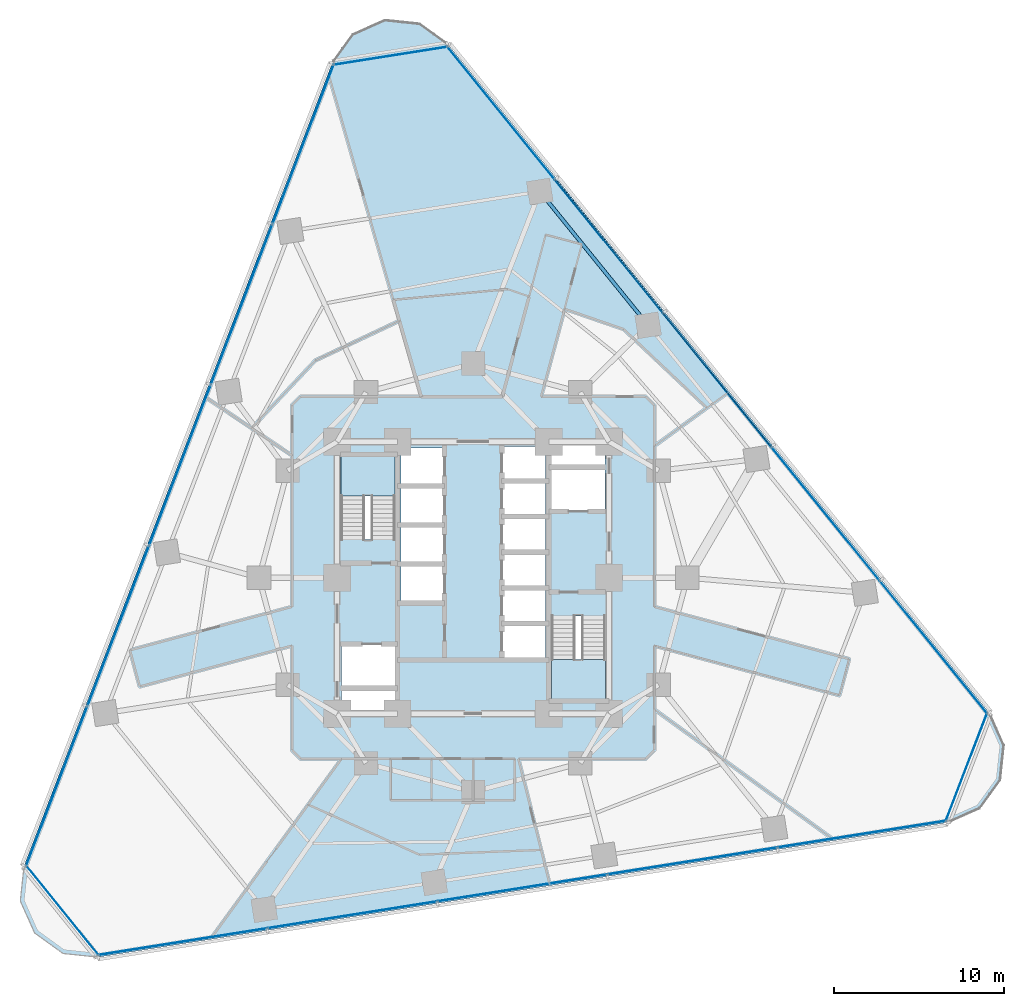
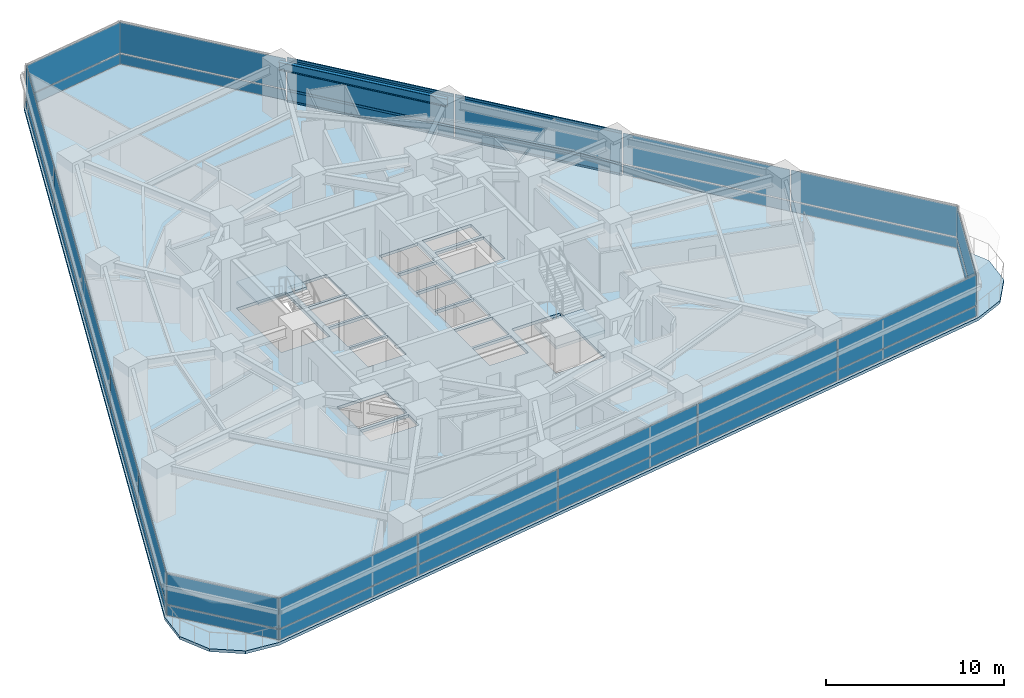
# One storey, part 6 of 13: 36 plates, 6 members, 3 slabs, 1 beam, 8 elements without a shape of their own.
"""IFC4 building model written with IfcOpenShell, lengths in metres."""

from ifc_helpers import new_model, si_unit, direction, frame, origin, origin_2d, place, context, subcontext, project, spatial, polyline, rectangle, i_section, outline, extrude, material, layer, layer_set, material_profile, profile_set, type_object, element, aggregate, save


model = new_model("IFC4")

# Units and contexts
model_context = context("Model", 3, precision=1e-05, world=origin(), true_north=direction((0.0, 1.0)))
body_context = subcontext(model_context, "Body", "Model", "MODEL_VIEW")
ifc_project = project(units=[si_unit("LENGTHUNIT", "METRE"), si_unit("AREAUNIT", "SQUARE_METRE"), si_unit("VOLUMEUNIT", "CUBIC_METRE"), si_unit("PLANEANGLEUNIT", "RADIAN"), si_unit("MASSUNIT", "GRAM", prefix="KILO")], contexts=[model_context])

# Site, building, storey
site_placement = place(None, origin())
site = spatial("IfcSite", under=ifc_project, at=site_placement, CompositionType="ELEMENT")
building_placement = place(site_placement, origin())
building = spatial("IfcBuilding", under=site, at=building_placement, Name="Terralouvre Media Tower", CompositionType="ELEMENT")
storey_placement = place(building_placement, frame((0.0, 0.0, 59.300048828125)))
storey = spatial("IfcBuildingStorey", under=building, at=storey_placement, Name="L14", CompositionType="ELEMENT", Elevation=59.300048828125)

# Curtain wall, members
ifc_material_1 = material(Name="Low-iron laminated double glazing with solar-control coating", Category="glass")
ifc_layer_1 = layer(ifc_material_1, 0.1650390625, Name="Lower Media Tower Unitised Curtain Wall CW-02")
ifc_layer_set_1 = layer_set([ifc_layer_1], Name="Low-iron laminated double glazing with solar-control coating")
curtain_wall_type_1 = type_object("IfcCurtainWallType", Name="Lower Media Tower Unitised Curtain Wall CW-02", PredefinedType="NOTDEFINED", material=ifc_layer_set_1)
curtain_wall_1_placement = place(storey_placement, origin())
curtain_wall_1 = element("IfcCurtainWall", 1, at=curtain_wall_1_placement, inside=storey, type_object=curtain_wall_type_1, Name="L14 Facade Curtain Wall F1", PredefinedType="NOTDEFINED")
ifc_material_2 = material(Name="Anodised extruded aluminium 6063-T6", Category="aluminium")
ifc_material_profile_1 = material_profile(ifc_material_2, rectangle(XDim=0.074951171875, YDim=0.14990234375, at=origin_2d()), Name="ALU 75x150")
ifc_profile_set_1 = profile_set([ifc_material_profile_1], Name="Anodised extruded aluminium 6063-T6")
member_type = type_object("IfcMemberType", Name="Curtain-Wall Horizontal Transom TR-150", PredefinedType="USERDEFINED", material=ifc_profile_set_1)
member_1_placement = place(storey_placement, frame((17.523681640625, 7.72265625, 0.037353515625), z_axis=(-0.629319084722, 0.777147019299, 0.0), x_axis=(-0.777147019299, -0.629319084722, 0.0)))
member_1 = element("IfcMember", 2, at=member_1_placement, type_object=member_type, Name="CW-02 transom 3.1", ObjectType="TRANSOM", PredefinedType="USERDEFINED", context=body_context, shape_type="SweptSolid", body=[
    extrude(rectangle(XDim=0.074951171875, YDim=0.14990234375, at=origin_2d()), origin(), (0.0, 0.0, 1.0), 10.052734375),
])
member_2_placement = place(storey_placement, frame((17.523681640625, 7.72265625, 0.800048828125), z_axis=(-0.629319084722, 0.777147019299, 0.0), x_axis=(-0.777147019299, -0.629319084722, 0.0)))
member_2 = element("IfcMember", 3, at=member_2_placement, type_object=member_type, Name="CW-02 transom 3.2", ObjectType="TRANSOM", PredefinedType="USERDEFINED", context=body_context, shape_type="SweptSolid", body=[
    extrude(rectangle(XDim=0.074951171875, YDim=0.14990234375, at=origin_2d()), origin(), (0.0, 0.0, 1.0), 10.052734375),
])
member_3_placement = place(storey_placement, frame((17.523681640625, 7.72265625, 2.96240234375), z_axis=(-0.629319084722, 0.777147019299, 0.0), x_axis=(-0.777147019299, -0.629319084722, 0.0)))
member_3 = element("IfcMember", 4, at=member_3_placement, type_object=member_type, Name="CW-02 transom 3.3", ObjectType="TRANSOM", PredefinedType="USERDEFINED", context=body_context, shape_type="SweptSolid", body=[
    extrude(rectangle(XDim=0.074951171875, YDim=0.14990234375, at=origin_2d()), origin(), (0.0, 0.0, 1.0), 10.052734375),
])
member_4_placement = place(storey_placement, frame((11.14990234375, 15.593505859375, 0.037353515625), z_axis=(-0.629307207311, 0.777156637253, 0.0), x_axis=(-0.777156637253, -0.629307207311, 0.0)))
member_4 = element("IfcMember", 5, at=member_4_placement, type_object=member_type, Name="CW-02 transom 4.1", ObjectType="TRANSOM", PredefinedType="USERDEFINED", context=body_context, shape_type="SweptSolid", body=[
    extrude(rectangle(XDim=0.074951171875, YDim=0.14990234375, at=origin_2d()), origin(), (0.0, 0.0, 1.0), 10.052978515625),
])
member_5_placement = place(storey_placement, frame((11.14990234375, 15.593505859375, 0.800048828125), z_axis=(-0.629307207311, 0.777156637253, 0.0), x_axis=(-0.777156637253, -0.629307207311, 0.0)))
member_5 = element("IfcMember", 6, at=member_5_placement, type_object=member_type, Name="CW-02 transom 4.2", ObjectType="TRANSOM", PredefinedType="USERDEFINED", context=body_context, shape_type="SweptSolid", body=[
    extrude(rectangle(XDim=0.074951171875, YDim=0.14990234375, at=origin_2d()), origin(), (0.0, 0.0, 1.0), 10.052978515625),
])
member_6_placement = place(storey_placement, frame((11.14990234375, 15.593505859375, 2.96240234375), z_axis=(-0.629307207311, 0.777156637253, 0.0), x_axis=(-0.777156637253, -0.629307207311, 0.0)))
member_6 = element("IfcMember", 7, at=member_6_placement, type_object=member_type, Name="CW-02 transom 4.3", ObjectType="TRANSOM", PredefinedType="USERDEFINED", context=body_context, shape_type="SweptSolid", body=[
    extrude(rectangle(XDim=0.074951171875, YDim=0.14990234375, at=origin_2d()), origin(), (0.0, 0.0, 1.0), 10.052978515625),
])

# Beam
ifc_material_3 = material(Name="Structural steel S355J2", Category="steel")
ifc_material_profile_2 = material_profile(ifc_material_3, i_section(OverallWidth=0.2099609375, OverallDepth=0.550048828125, WebThickness=0.010986328125, FlangeThickness=0.01708984375, at=origin_2d()), Name="IPE 550")
ifc_profile_set_2 = profile_set([ifc_material_profile_2], Name="Structural steel S355J2")
beam_type = type_object("IfcBeamType", Name="Perimeter Spandrel Beam SPB-550 (IPE 550)", PredefinedType="SPANDREL", material=ifc_profile_set_2)
beam_placement = place(storey_placement, frame((10.29541015625, 14.853271484375, 3.224853515625), z_axis=(-0.629325814949, 0.777141569239, 0.0), x_axis=(-0.777141569239, -0.629325814949, 0.0)))
element("IfcBeam", 8, at=beam_placement, inside=storey, type_object=beam_type, Name="L14 Framing Beam BM-L14-PR08", PredefinedType="SPANDREL", context=body_context, shape_type="SweptSolid", body=[
    extrude(i_section(OverallWidth=0.2099609375, OverallDepth=0.550048828125, WebThickness=0.010986328125, FlangeThickness=0.01708984375, at=origin_2d()), origin(), (0.0, 0.0, 1.0), 10.1279296875),
])

# Slab
ifc_material_4 = material(Name="Concrete C40/50", Category="concrete")
ifc_layer_2 = layer(ifc_material_4, 0.199951171875, Name="Composite Tower Floor Slab S-TYP200")
ifc_layer_set_2 = layer_set([ifc_layer_2], Name="Concrete C40/50")
slab_type_1 = type_object("IfcSlabType", Name="Composite Tower Floor Slab S-TYP200", PredefinedType="FLOOR", material=ifc_layer_set_2)
slab_1_placement = place(storey_placement, frame((0.0, 0.0, -0.199951171875), z_axis=(0.0, 0.0, 1.0), x_axis=(0.987688340595, 0.15643446504, 0.0)))
element("IfcSlab", 9, at=slab_1_placement, inside=storey, type_object=slab_type_1, Name="L14 Structural Floor Slab", PredefinedType="FLOOR", context=body_context, shape_type="SweptSolid", body=[
    extrude(outline(polyline([(-28.766845703125, -12.62841796875), (-29.300048828125, -14.618408203125), (-28.766845703125, -16.6083984375), (-27.31005859375, -18.065185546875), (-25.320068359375, -18.598388671875), (25.320068359375, -18.598388671875), (27.31005859375, -18.065185546875), (28.766845703125, -16.6083984375), (29.300048828125, -14.618408203125), (28.766845703125, -12.62841796875), (3.44677734375, 31.22705078125), (1.989990234375, 32.683837890625), (0.0, 33.217041015625), (-1.989990234375, 32.683837890625), (-3.44677734375, 31.22705078125), (-28.766845703125, -12.62841796875)]), holes=[polyline([(-5.763671875, -6.984375), (-8.874755859375, -6.49169921875), (-8.68701171875, -5.306396484375), (-5.575927734375, -5.799072265625), (-5.763671875, -6.984375)]), polyline([(-5.54443359375, -5.6015625), (-8.65576171875, -5.10888671875), (-8.2724609375, -2.68896484375), (-5.161376953125, -3.181884765625), (-5.54443359375, -5.6015625)]), polyline([(-1.95068359375, -1.128662109375), (-4.419921875, -0.73779296875), (-4.0849609375, 1.3759765625), (-1.61572265625, 0.98486328125), (-1.95068359375, -1.128662109375)]), polyline([(-1.5908203125, 1.142822265625), (-4.06005859375, 1.533935546875), (-3.725341796875, 3.647705078125), (-1.256103515625, 3.256591796875), (-1.5908203125, 1.142822265625)]), polyline([(4.44482421875, 0.895751953125), (1.9755859375, 1.286865234375), (2.279052734375, 3.202880859375), (4.748291015625, 2.811767578125), (4.44482421875, 0.895751953125)]), polyline([(-1.23095703125, 3.41455078125), (-3.7001953125, 3.8056640625), (-3.365478515625, 5.91943359375), (-0.896240234375, 5.5283203125), (-1.23095703125, 3.41455078125)]), polyline([(-4.192138671875, 2.93701171875), (-7.3330078125, 3.434326171875), (-6.548583984375, 8.3876953125), (-3.40771484375, 7.89013671875), (-4.192138671875, 2.93701171875)]), polyline([(-0.87109375, 5.686279296875), (-3.34033203125, 6.077392578125), (-3.005615234375, 8.19091796875), (-0.536376953125, 7.800048828125), (-0.87109375, 5.686279296875)]), polyline([(4.192138671875, -2.93701171875), (7.3330078125, -3.434326171875), (6.548583984375, -8.3876953125), (3.40771484375, -7.89013671875), (4.192138671875, -2.93701171875)]), polyline([(3.459228515625, -5.32666015625), (0.989990234375, -4.935546875), (1.29345703125, -3.01953125), (3.7626953125, -3.41064453125), (3.459228515625, -5.32666015625)]), polyline([(3.787841796875, -3.252685546875), (1.318603515625, -2.861572265625), (1.6220703125, -0.9453125), (4.09130859375, -1.33642578125), (3.787841796875, -3.252685546875)]), polyline([(4.1162109375, -1.178466796875), (1.647216796875, -0.787353515625), (1.95068359375, 1.128662109375), (4.419921875, 0.73779296875), (4.1162109375, -1.178466796875)]), polyline([(4.7734375, 2.9697265625), (2.30419921875, 3.36083984375), (2.607666015625, 5.277099609375), (5.076904296875, 4.885986328125), (4.7734375, 2.9697265625)]), polyline([(8.2724609375, 2.68896484375), (5.161376953125, 3.181884765625), (5.54443359375, 5.6015625), (8.65576171875, 5.10888671875), (8.2724609375, 2.68896484375)]), polyline([(5.101806640625, 5.0439453125), (2.632568359375, 5.43505859375), (2.93603515625, 7.35107421875), (5.4052734375, 6.960205078125), (5.101806640625, 5.0439453125)]), polyline([(8.68701171875, 5.306396484375), (5.575927734375, 5.799072265625), (5.763671875, 6.984375), (8.874755859375, 6.49169921875), (8.68701171875, 5.306396484375)])]), origin(), (0.0, 0.0, 1.0), 0.199951171875),
])

# Stair, slab
ifc_material_5 = material(Name="Concrete C45/55", Category="concrete")
stair_type_1 = type_object("IfcStairType", Name="Dogleg Stair Assembly ST-01", PredefinedType="HALF_TURN_STAIR", material=ifc_material_5)
stair_1_placement = place(storey_placement, origin())
stair_1 = element("IfcStair", 10, at=stair_1_placement, inside=storey, type_object=stair_type_1, Name="L14 Core Pressurised Exit Stair ST-01", PredefinedType="HALF_TURN_STAIR")
ifc_material_6 = material(Name="Concrete C45/55", Category="concrete")
ifc_layer_3 = layer(ifc_material_6, 0.199951171875, Name="Reinforced Concrete Stair Half-Landing SL-LD1")
ifc_layer_set_3 = layer_set([ifc_layer_3], Name="Concrete C45/55")
slab_type_2 = type_object("IfcSlabType", Name="Reinforced Concrete Stair Half-Landing SL-LD1", PredefinedType="LANDING", material=ifc_layer_set_3)
slab_2_placement = place(storey_placement, frame((0.0, 0.0, 1.64990234375)))
slab_2 = element("IfcSlab", 11, at=slab_2_placement, type_object=slab_type_2, Name="ST-01 landing 1", PredefinedType="LANDING", context=body_context, shape_type="SweptSolid", body=[
    extrude(outline(polyline([(-4.60009765625, 4.820068359375), (-4.60009765625, 7.260009765625), (-7.780029296875, 7.260009765625), (-7.780029296875, 4.820068359375), (-4.60009765625, 4.820068359375)])), origin(), (0.0, 0.0, 1.0), 0.199951171875),
])
aggregate(stair_1, [slab_2])

ifc_material_7 = material(Name="Concrete C45/55", Category="concrete")
stair_type_2 = type_object("IfcStairType", Name="Dogleg Stair Assembly ST-02", PredefinedType="HALF_TURN_STAIR", material=ifc_material_7)
stair_2_placement = place(storey_placement, origin())
stair_2 = element("IfcStair", 12, at=stair_2_placement, inside=storey, type_object=stair_type_2, Name="L14 Core Pressurised Exit Stair ST-02", PredefinedType="HALF_TURN_STAIR")
slab_3_placement = place(storey_placement, frame((0.0, 0.0, 1.64990234375)))
slab_3 = element("IfcSlab", 13, at=slab_3_placement, type_object=slab_type_2, Name="ST-02 landing 1", PredefinedType="LANDING", context=body_context, shape_type="SweptSolid", body=[
    extrude(outline(polyline([(4.60009765625, -4.820068359375), (4.60009765625, -7.260009765625), (7.780029296875, -7.260009765625), (7.780029296875, -4.820068359375), (4.60009765625, -4.820068359375)])), origin(), (0.0, 0.0, 1.0), 0.199951171875),
])
aggregate(stair_2, [slab_3])

# Curtain wall, plates
ifc_material_8 = material(Name="Low-iron laminated double glazing with solar-control coating", Category="glass")
ifc_layer_4 = layer(ifc_material_8, 0.1650390625, Name="Rounded Wind-Corner Curved Glazing CW-04")
ifc_layer_set_4 = layer_set([ifc_layer_4], Name="Low-iron laminated double glazing with solar-control coating")
curtain_wall_type_2 = type_object("IfcCurtainWallType", Name="Rounded Wind-Corner Curved Glazing CW-04", PredefinedType="NOTDEFINED", material=ifc_layer_set_4)
curtain_wall_2_placement = place(storey_placement, origin())
curtain_wall_2 = element("IfcCurtainWall", 14, at=curtain_wall_2_placement, inside=storey, type_object=curtain_wall_type_2, Name="L14 Rounded Wind-Corner Curtain Wall C0", PredefinedType="NOTDEFINED")
ifc_material_9 = material(Name="Low-iron laminated double glazing with solar-control coating", Category="glass")
ifc_layer_5 = layer(ifc_material_9, 0.0400390625, Name="Rounded Corner Laminated Vision Panel CWP-03")
ifc_layer_set_5 = layer_set([ifc_layer_5], Name="Low-iron laminated double glazing with solar-control coating")
plate_type_1 = type_object("IfcPlateType", Name="Rounded Corner Laminated Vision Panel CWP-03", PredefinedType="CURTAIN_PANEL", material=ifc_layer_set_5)
plate_1_placement = place(storey_placement, frame((-24.1591796875, -19.563720703125, 0.074951171875), z_axis=(0.0, 0.0, 1.0), x_axis=(0.629320031936, -0.777146252262, 0.0)))
plate_1 = element("IfcPlate", 15, at=plate_1_placement, type_object=plate_type_1, Name="CW-04 panel 1.1", PredefinedType="CURTAIN_PANEL", context=body_context, shape_type="SweptSolid", body=[
    extrude(rectangle(XDim=6.74365234375, YDim=0.035888671875, at=origin_2d()), origin(), (0.0, 0.0, 1.0), 0.6875),
])
plate_2_placement = place(storey_placement, frame((-24.1591796875, -19.563720703125, 0.83740234375), z_axis=(0.0, 0.0, 1.0), x_axis=(0.629320031936, -0.777146252262, 0.0)))
plate_2 = element("IfcPlate", 16, at=plate_2_placement, type_object=plate_type_1, Name="CW-04 panel 1.2", PredefinedType="CURTAIN_PANEL", context=body_context, shape_type="SweptSolid", body=[
    extrude(rectangle(XDim=6.74365234375, YDim=0.035888671875, at=origin_2d()), origin(), (0.0, 0.0, 1.0), 2.08740234375),
])
aggregate(curtain_wall_2, [plate_1, plate_2])

curtain_wall_3_placement = place(storey_placement, origin())
curtain_wall_3 = element("IfcCurtainWall", 17, at=curtain_wall_3_placement, inside=storey, type_object=curtain_wall_type_2, Name="L14 Rounded Wind-Corner Curtain Wall C1", PredefinedType="NOTDEFINED")
plate_3_placement = place(storey_placement, frame((29.022216796875, -11.140625, 0.074951171875), z_axis=(0.0, 0.0, 1.0), x_axis=(0.358367472863, 0.933580609478, 0.0)))
plate_3 = element("IfcPlate", 18, at=plate_3_placement, type_object=plate_type_1, Name="CW-04 panel 1.1", PredefinedType="CURTAIN_PANEL", context=body_context, shape_type="SweptSolid", body=[
    extrude(rectangle(XDim=6.74365234375, YDim=0.035888671875, at=origin_2d()), origin(), (0.0, 0.0, 1.0), 0.6875),
])
plate_4_placement = place(storey_placement, frame((29.022216796875, -11.140625, 0.83740234375), z_axis=(0.0, 0.0, 1.0), x_axis=(0.358367472863, 0.933580609478, 0.0)))
plate_4 = element("IfcPlate", 19, at=plate_4_placement, type_object=plate_type_1, Name="CW-04 panel 1.2", PredefinedType="CURTAIN_PANEL", context=body_context, shape_type="SweptSolid", body=[
    extrude(rectangle(XDim=6.74365234375, YDim=0.035888671875, at=origin_2d()), origin(), (0.0, 0.0, 1.0), 2.08740234375),
])
aggregate(curtain_wall_3, [plate_3, plate_4])

curtain_wall_4_placement = place(storey_placement, origin())
curtain_wall_4 = element("IfcCurtainWall", 20, at=curtain_wall_4_placement, inside=storey, type_object=curtain_wall_type_2, Name="L14 Rounded Wind-Corner Curtain Wall C2", PredefinedType="NOTDEFINED")
plate_5_placement = place(storey_placement, frame((-4.863037109375, 30.704345703125, 0.074951171875), z_axis=(0.0, 0.0, 1.0), x_axis=(-0.987688353034, -0.156434386502, 0.0)))
plate_5 = element("IfcPlate", 21, at=plate_5_placement, type_object=plate_type_1, Name="CW-04 panel 1.1", PredefinedType="CURTAIN_PANEL", context=body_context, shape_type="SweptSolid", body=[
    extrude(rectangle(XDim=6.74365234375, YDim=0.035888671875, at=origin_2d()), origin(), (0.0, 0.0, 1.0), 0.6875),
])
plate_6_placement = place(storey_placement, frame((-4.863037109375, 30.704345703125, 0.83740234375), z_axis=(0.0, 0.0, 1.0), x_axis=(-0.987688353034, -0.156434386502, 0.0)))
plate_6 = element("IfcPlate", 22, at=plate_6_placement, type_object=plate_type_1, Name="CW-04 panel 1.2", PredefinedType="CURTAIN_PANEL", context=body_context, shape_type="SweptSolid", body=[
    extrude(rectangle(XDim=6.74365234375, YDim=0.035888671875, at=origin_2d()), origin(), (0.0, 0.0, 1.0), 2.08740234375),
])
aggregate(curtain_wall_4, [plate_5, plate_6])

curtain_wall_5_placement = place(storey_placement, origin())
curtain_wall_5 = element("IfcCurtainWall", 23, at=curtain_wall_5_placement, inside=storey, type_object=curtain_wall_type_1, Name="L14 Facade Curtain Wall F0", PredefinedType="NOTDEFINED")
ifc_material_10 = material(Name="Low-iron laminated double glazing with solar-control coating", Category="glass")
ifc_layer_6 = layer(ifc_material_10, 0.035888671875, Name="Vision Double-Glazed Unit CWP-01")
ifc_layer_set_6 = layer_set([ifc_layer_6], Name="Low-iron laminated double glazing with solar-control coating")
plate_type_2 = type_object("IfcPlateType", Name="Vision Double-Glazed Unit CWP-01", PredefinedType="CURTAIN_PANEL", material=ifc_layer_set_6)
plate_7_placement = place(storey_placement, frame((-17.097412109375, -21.416748046875, 0.074951171875), z_axis=(0.0, 0.0, 1.0), x_axis=(0.987688340934, 0.156434462903, 0.0)))
plate_7 = element("IfcPlate", 24, at=plate_7_placement, type_object=plate_type_2, Name="CW-02 panel 1.1", PredefinedType="CURTAIN_PANEL", context=body_context, shape_type="SweptSolid", body=[
    extrude(rectangle(XDim=10.015380859375, YDim=0.035888671875, at=origin_2d()), origin(), (0.0, 0.0, 1.0), 0.6875),
])
plate_8_placement = place(storey_placement, frame((-17.097412109375, -21.416748046875, 0.83740234375), z_axis=(0.0, 0.0, 1.0), x_axis=(0.987688340934, 0.156434462903, 0.0)))
plate_8 = element("IfcPlate", 25, at=plate_8_placement, type_object=plate_type_2, Name="CW-02 panel 1.2", PredefinedType="CURTAIN_PANEL", context=body_context, shape_type="SweptSolid", body=[
    extrude(rectangle(XDim=10.015380859375, YDim=0.035888671875, at=origin_2d()), origin(), (0.0, 0.0, 1.0), 2.08740234375),
])
plate_9_placement = place(storey_placement, frame((-7.112548828125, -19.83544921875, 0.074951171875), z_axis=(0.0, 0.0, 1.0), x_axis=(0.987688340934, 0.156434462903, 0.0)))
plate_9 = element("IfcPlate", 26, at=plate_9_placement, type_object=plate_type_2, Name="CW-02 panel 2.1", PredefinedType="CURTAIN_PANEL", context=body_context, shape_type="SweptSolid", body=[
    extrude(rectangle(XDim=10.052978515625, YDim=0.035888671875, at=origin_2d()), origin(), (0.0, 0.0, 1.0), 0.6875),
])
plate_10_placement = place(storey_placement, frame((-7.112548828125, -19.83544921875, 0.83740234375), z_axis=(0.0, 0.0, 1.0), x_axis=(0.987688340934, 0.156434462903, 0.0)))
plate_10 = element("IfcPlate", 27, at=plate_10_placement, type_object=plate_type_2, Name="CW-02 panel 2.2", PredefinedType="CURTAIN_PANEL", context=body_context, shape_type="SweptSolid", body=[
    extrude(rectangle(XDim=10.052978515625, YDim=0.035888671875, at=origin_2d()), origin(), (0.0, 0.0, 1.0), 2.08740234375),
])
plate_11_placement = place(storey_placement, frame((2.890625, -18.2509765625, 0.074951171875), z_axis=(0.0, 0.0, 1.0), x_axis=(0.987688340934, 0.156434462903, 0.0)))
plate_11 = element("IfcPlate", 28, at=plate_11_placement, type_object=plate_type_2, Name="CW-02 panel 3.1", PredefinedType="CURTAIN_PANEL", context=body_context, shape_type="SweptSolid", body=[
    extrude(rectangle(XDim=10.052978515625, YDim=0.035888671875, at=origin_2d()), origin(), (0.0, 0.0, 1.0), 0.6875),
])
plate_12_placement = place(storey_placement, frame((2.890625, -18.2509765625, 0.83740234375), z_axis=(0.0, 0.0, 1.0), x_axis=(0.987688340934, 0.156434462903, 0.0)))
plate_12 = element("IfcPlate", 29, at=plate_12_placement, type_object=plate_type_2, Name="CW-02 panel 3.2", PredefinedType="CURTAIN_PANEL", context=body_context, shape_type="SweptSolid", body=[
    extrude(rectangle(XDim=10.052978515625, YDim=0.035888671875, at=origin_2d()), origin(), (0.0, 0.0, 1.0), 2.08740234375),
])
plate_13_placement = place(storey_placement, frame((12.89404296875, -16.666748046875, 0.074951171875), z_axis=(0.0, 0.0, 1.0), x_axis=(0.987688340934, 0.156434462903, 0.0)))
plate_13 = element("IfcPlate", 30, at=plate_13_placement, type_object=plate_type_2, Name="CW-02 panel 4.1", PredefinedType="CURTAIN_PANEL", context=body_context, shape_type="SweptSolid", body=[
    extrude(rectangle(XDim=10.052978515625, YDim=0.035888671875, at=origin_2d()), origin(), (0.0, 0.0, 1.0), 0.6875),
])
plate_14_placement = place(storey_placement, frame((12.89404296875, -16.666748046875, 0.83740234375), z_axis=(0.0, 0.0, 1.0), x_axis=(0.987688340934, 0.156434462903, 0.0)))
plate_14 = element("IfcPlate", 31, at=plate_14_placement, type_object=plate_type_2, Name="CW-02 panel 4.2", PredefinedType="CURTAIN_PANEL", context=body_context, shape_type="SweptSolid", body=[
    extrude(rectangle(XDim=10.052978515625, YDim=0.035888671875, at=origin_2d()), origin(), (0.0, 0.0, 1.0), 2.08740234375),
])
plate_15_placement = place(storey_placement, frame((22.878662109375, -15.085205078125, 0.074951171875), z_axis=(0.0, 0.0, 1.0), x_axis=(0.987688340934, 0.156434462903, 0.0)))
plate_15 = element("IfcPlate", 32, at=plate_15_placement, type_object=plate_type_2, Name="CW-02 panel 5.1", PredefinedType="CURTAIN_PANEL", context=body_context, shape_type="SweptSolid", body=[
    extrude(rectangle(XDim=10.015380859375, YDim=0.035888671875, at=origin_2d()), origin(), (0.0, 0.0, 1.0), 0.6875),
])
plate_16_placement = place(storey_placement, frame((22.878662109375, -15.085205078125, 0.83740234375), z_axis=(0.0, 0.0, 1.0), x_axis=(0.987688340934, 0.156434462903, 0.0)))
plate_16 = element("IfcPlate", 33, at=plate_16_placement, type_object=plate_type_2, Name="CW-02 panel 5.2", PredefinedType="CURTAIN_PANEL", context=body_context, shape_type="SweptSolid", body=[
    extrude(rectangle(XDim=10.015380859375, YDim=0.035888671875, at=origin_2d()), origin(), (0.0, 0.0, 1.0), 2.08740234375),
])
aggregate(curtain_wall_5, [plate_7, plate_8, plate_9, plate_10, plate_11, plate_12, plate_13, plate_14, plate_15, plate_16])

# Plate
plate_17_placement = place(storey_placement, frame((27.09619140625, -4.098388671875, 0.074951171875), z_axis=(0.0, 0.0, 1.0), x_axis=(-0.629320350521, 0.777145994276, 0.0)))
plate_17 = element("IfcPlate", 34, at=plate_17_placement, type_object=plate_type_2, Name="CW-02 panel 1.1", PredefinedType="CURTAIN_PANEL", context=body_context, shape_type="SweptSolid", body=[
    extrude(rectangle(XDim=10.015380859375, YDim=0.035888671875, at=origin_2d()), origin(), (0.0, 0.0, 1.0), 0.6875),
])

plate_18_placement = place(storey_placement, frame((27.09619140625, -4.098388671875, 0.83740234375), z_axis=(0.0, 0.0, 1.0), x_axis=(-0.629320350521, 0.777145994276, 0.0)))
plate_18 = element("IfcPlate", 35, at=plate_18_placement, type_object=plate_type_2, Name="CW-02 panel 1.2", PredefinedType="CURTAIN_PANEL", context=body_context, shape_type="SweptSolid", body=[
    extrude(rectangle(XDim=10.015380859375, YDim=0.035888671875, at=origin_2d()), origin(), (0.0, 0.0, 1.0), 2.08740234375),
])

plate_19_placement = place(storey_placement, frame((20.734375, 3.758056640625, 0.074951171875), z_axis=(0.0, 0.0, 1.0), x_axis=(-0.629320350521, 0.777145994276, 0.0)))
plate_19 = element("IfcPlate", 36, at=plate_19_placement, type_object=plate_type_2, Name="CW-02 panel 2.1", PredefinedType="CURTAIN_PANEL", context=body_context, shape_type="SweptSolid", body=[
    extrude(rectangle(XDim=10.052978515625, YDim=0.035888671875, at=origin_2d()), origin(), (0.0, 0.0, 1.0), 0.6875),
])

plate_20_placement = place(storey_placement, frame((20.734375, 3.758056640625, 0.83740234375), z_axis=(0.0, 0.0, 1.0), x_axis=(-0.629320350521, 0.777145994276, 0.0)))
plate_20 = element("IfcPlate", 37, at=plate_20_placement, type_object=plate_type_2, Name="CW-02 panel 2.2", PredefinedType="CURTAIN_PANEL", context=body_context, shape_type="SweptSolid", body=[
    extrude(rectangle(XDim=10.052978515625, YDim=0.035888671875, at=origin_2d()), origin(), (0.0, 0.0, 1.0), 2.08740234375),
])

plate_21_placement = place(storey_placement, frame((14.360595703125, 11.62890625, 0.074951171875), z_axis=(0.0, 0.0, 1.0), x_axis=(-0.629320350521, 0.777145994276, 0.0)))
plate_21 = element("IfcPlate", 38, at=plate_21_placement, type_object=plate_type_2, Name="CW-02 panel 3.1", PredefinedType="CURTAIN_PANEL", context=body_context, shape_type="SweptSolid", body=[
    extrude(rectangle(XDim=10.052978515625, YDim=0.035888671875, at=origin_2d()), origin(), (0.0, 0.0, 1.0), 0.6875),
])

plate_22_placement = place(storey_placement, frame((14.360595703125, 11.62890625, 0.83740234375), z_axis=(0.0, 0.0, 1.0), x_axis=(-0.629320350521, 0.777145994276, 0.0)))
plate_22 = element("IfcPlate", 39, at=plate_22_placement, type_object=plate_type_2, Name="CW-02 panel 3.2", PredefinedType="CURTAIN_PANEL", context=body_context, shape_type="SweptSolid", body=[
    extrude(rectangle(XDim=10.052978515625, YDim=0.035888671875, at=origin_2d()), origin(), (0.0, 0.0, 1.0), 2.08740234375),
])

plate_23_placement = place(storey_placement, frame((7.98681640625, 19.499755859375, 0.074951171875), z_axis=(0.0, 0.0, 1.0), x_axis=(-0.629320350521, 0.777145994276, 0.0)))
plate_23 = element("IfcPlate", 40, at=plate_23_placement, type_object=plate_type_2, Name="CW-02 panel 4.1", PredefinedType="CURTAIN_PANEL", context=body_context, shape_type="SweptSolid", body=[
    extrude(rectangle(XDim=10.052978515625, YDim=0.035888671875, at=origin_2d()), origin(), (0.0, 0.0, 1.0), 0.6875),
])

plate_24_placement = place(storey_placement, frame((7.98681640625, 19.499755859375, 0.83740234375), z_axis=(0.0, 0.0, 1.0), x_axis=(-0.629320350521, 0.777145994276, 0.0)))
plate_24 = element("IfcPlate", 41, at=plate_24_placement, type_object=plate_type_2, Name="CW-02 panel 4.2", PredefinedType="CURTAIN_PANEL", context=body_context, shape_type="SweptSolid", body=[
    extrude(rectangle(XDim=10.052978515625, YDim=0.035888671875, at=origin_2d()), origin(), (0.0, 0.0, 1.0), 2.08740234375),
])

plate_25_placement = place(storey_placement, frame((1.624755859375, 27.356201171875, 0.074951171875), z_axis=(0.0, 0.0, 1.0), x_axis=(-0.629320350521, 0.777145994276, 0.0)))
plate_25 = element("IfcPlate", 42, at=plate_25_placement, type_object=plate_type_2, Name="CW-02 panel 5.1", PredefinedType="CURTAIN_PANEL", context=body_context, shape_type="SweptSolid", body=[
    extrude(rectangle(XDim=10.015380859375, YDim=0.035888671875, at=origin_2d()), origin(), (0.0, 0.0, 1.0), 0.6875),
])

plate_26_placement = place(storey_placement, frame((1.624755859375, 27.356201171875, 0.83740234375), z_axis=(0.0, 0.0, 1.0), x_axis=(-0.629320350521, 0.777145994276, 0.0)))
plate_26 = element("IfcPlate", 43, at=plate_26_placement, type_object=plate_type_2, Name="CW-02 panel 5.2", PredefinedType="CURTAIN_PANEL", context=body_context, shape_type="SweptSolid", body=[
    extrude(rectangle(XDim=10.015380859375, YDim=0.035888671875, at=origin_2d()), origin(), (0.0, 0.0, 1.0), 2.08740234375),
])

aggregate(curtain_wall_1, [plate_17, plate_18, plate_19, plate_20, member_1, member_2, member_3, plate_21, plate_22, member_4, member_5, member_6, plate_23, plate_24, plate_25, plate_26])

# Curtain wall, plates
curtain_wall_6_placement = place(storey_placement, origin())
curtain_wall_6 = element("IfcCurtainWall", 44, at=curtain_wall_6_placement, inside=storey, type_object=curtain_wall_type_1, Name="L14 Facade Curtain Wall F2", PredefinedType="NOTDEFINED")
plate_27_placement = place(storey_placement, frame((-9.998779296875, 25.51513671875, 0.074951171875), z_axis=(0.0, 0.0, 1.0), x_axis=(-0.358367917006, -0.933580438988, 0.0)))
plate_27 = element("IfcPlate", 45, at=plate_27_placement, type_object=plate_type_2, Name="CW-02 panel 1.1", PredefinedType="CURTAIN_PANEL", context=body_context, shape_type="SweptSolid", body=[
    extrude(rectangle(XDim=10.015380859375, YDim=0.035888671875, at=origin_2d()), origin(), (0.0, 0.0, 1.0), 0.6875),
])
plate_28_placement = place(storey_placement, frame((-9.998779296875, 25.51513671875, 0.83740234375), z_axis=(0.0, 0.0, 1.0), x_axis=(-0.358367917006, -0.933580438988, 0.0)))
plate_28 = element("IfcPlate", 46, at=plate_28_placement, type_object=plate_type_2, Name="CW-02 panel 1.2", PredefinedType="CURTAIN_PANEL", context=body_context, shape_type="SweptSolid", body=[
    extrude(rectangle(XDim=10.015380859375, YDim=0.035888671875, at=origin_2d()), origin(), (0.0, 0.0, 1.0), 2.08740234375),
])
plate_29_placement = place(storey_placement, frame((-13.62158203125, 16.077392578125, 0.074951171875), z_axis=(0.0, 0.0, 1.0), x_axis=(-0.358367917006, -0.933580438988, 0.0)))
plate_29 = element("IfcPlate", 47, at=plate_29_placement, type_object=plate_type_2, Name="CW-02 panel 2.1", PredefinedType="CURTAIN_PANEL", context=body_context, shape_type="SweptSolid", body=[
    extrude(rectangle(XDim=10.052978515625, YDim=0.035888671875, at=origin_2d()), origin(), (0.0, 0.0, 1.0), 0.6875),
])
plate_30_placement = place(storey_placement, frame((-13.62158203125, 16.077392578125, 0.83740234375), z_axis=(0.0, 0.0, 1.0), x_axis=(-0.358367917006, -0.933580438988, 0.0)))
plate_30 = element("IfcPlate", 48, at=plate_30_placement, type_object=plate_type_2, Name="CW-02 panel 2.2", PredefinedType="CURTAIN_PANEL", context=body_context, shape_type="SweptSolid", body=[
    extrude(rectangle(XDim=10.052978515625, YDim=0.035888671875, at=origin_2d()), origin(), (0.0, 0.0, 1.0), 2.08740234375),
])
plate_31_placement = place(storey_placement, frame((-17.251220703125, 6.6220703125, 0.074951171875), z_axis=(0.0, 0.0, 1.0), x_axis=(-0.358367917006, -0.933580438988, 0.0)))
plate_31 = element("IfcPlate", 49, at=plate_31_placement, type_object=plate_type_2, Name="CW-02 panel 3.1", PredefinedType="CURTAIN_PANEL", context=body_context, shape_type="SweptSolid", body=[
    extrude(rectangle(XDim=10.052978515625, YDim=0.035888671875, at=origin_2d()), origin(), (0.0, 0.0, 1.0), 0.6875),
])
plate_32_placement = place(storey_placement, frame((-17.251220703125, 6.6220703125, 0.83740234375), z_axis=(0.0, 0.0, 1.0), x_axis=(-0.358367917006, -0.933580438988, 0.0)))
plate_32 = element("IfcPlate", 50, at=plate_32_placement, type_object=plate_type_2, Name="CW-02 panel 3.2", PredefinedType="CURTAIN_PANEL", context=body_context, shape_type="SweptSolid", body=[
    extrude(rectangle(XDim=10.052978515625, YDim=0.035888671875, at=origin_2d()), origin(), (0.0, 0.0, 1.0), 2.08740234375),
])
plate_33_placement = place(storey_placement, frame((-20.880615234375, -2.833251953125, 0.074951171875), z_axis=(0.0, 0.0, 1.0), x_axis=(-0.358367917006, -0.933580438988, 0.0)))
plate_33 = element("IfcPlate", 51, at=plate_33_placement, type_object=plate_type_2, Name="CW-02 panel 4.1", PredefinedType="CURTAIN_PANEL", context=body_context, shape_type="SweptSolid", body=[
    extrude(rectangle(XDim=10.052978515625, YDim=0.035888671875, at=origin_2d()), origin(), (0.0, 0.0, 1.0), 0.6875),
])
plate_34_placement = place(storey_placement, frame((-20.880615234375, -2.833251953125, 0.83740234375), z_axis=(0.0, 0.0, 1.0), x_axis=(-0.358367917006, -0.933580438988, 0.0)))
plate_34 = element("IfcPlate", 52, at=plate_34_placement, type_object=plate_type_2, Name="CW-02 panel 4.2", PredefinedType="CURTAIN_PANEL", context=body_context, shape_type="SweptSolid", body=[
    extrude(rectangle(XDim=10.052978515625, YDim=0.035888671875, at=origin_2d()), origin(), (0.0, 0.0, 1.0), 2.08740234375),
])
plate_35_placement = place(storey_placement, frame((-24.503662109375, -12.27099609375, 0.074951171875), z_axis=(0.0, 0.0, 1.0), x_axis=(-0.358367917006, -0.933580438988, 0.0)))
plate_35 = element("IfcPlate", 53, at=plate_35_placement, type_object=plate_type_2, Name="CW-02 panel 5.1", PredefinedType="CURTAIN_PANEL", context=body_context, shape_type="SweptSolid", body=[
    extrude(rectangle(XDim=10.015380859375, YDim=0.035888671875, at=origin_2d()), origin(), (0.0, 0.0, 1.0), 0.6875),
])
plate_36_placement = place(storey_placement, frame((-24.503662109375, -12.27099609375, 0.83740234375), z_axis=(0.0, 0.0, 1.0), x_axis=(-0.358367917006, -0.933580438988, 0.0)))
plate_36 = element("IfcPlate", 54, at=plate_36_placement, type_object=plate_type_2, Name="CW-02 panel 5.2", PredefinedType="CURTAIN_PANEL", context=body_context, shape_type="SweptSolid", body=[
    extrude(rectangle(XDim=10.015380859375, YDim=0.035888671875, at=origin_2d()), origin(), (0.0, 0.0, 1.0), 2.08740234375),
])
aggregate(curtain_wall_6, [plate_27, plate_28, plate_29, plate_30, plate_31, plate_32, plate_33, plate_34, plate_35, plate_36])

save(model, "model.ifc")
